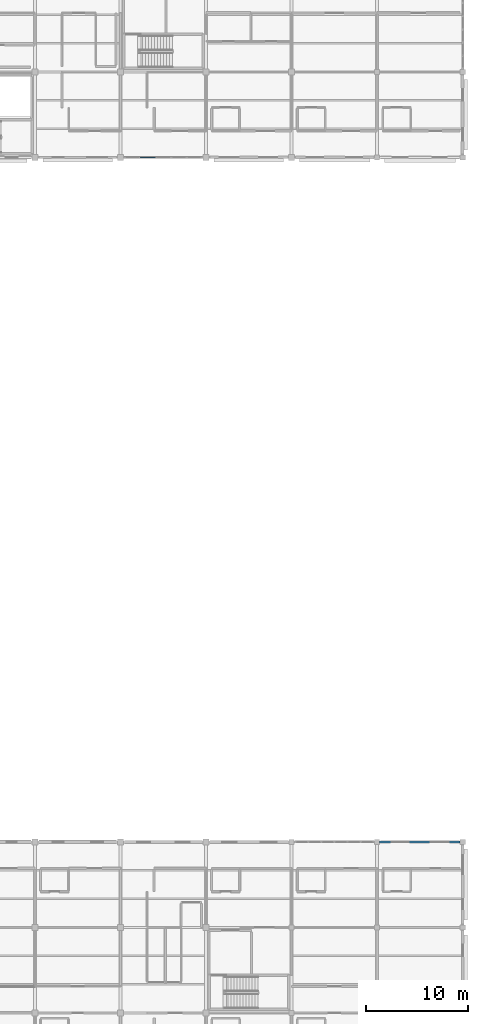
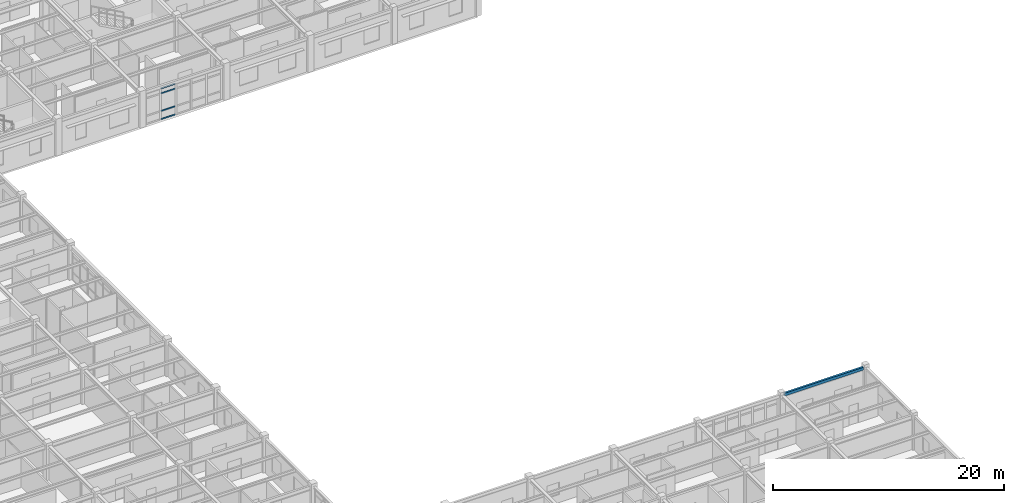
# One storey, part 37 of 86: 4 members, 1 beam, 1 element without a shape of its own.
"""IFC4 building model written with IfcOpenShell, lengths in metres."""

from ifc_helpers import new_model, si_unit, direction, frame, origin, origin_2d, place, context, subcontext, project, spatial, hollow_rectangle, extrude, material, layer, layer_set, material_profile, profile_set, type_object, element, aggregate, save


model = new_model("IFC4")

# Units and contexts
model_context = context("Model", 3, precision=1e-05, world=origin(), true_north=direction((0.0, 1.0)))
body_context = subcontext(model_context, "Body", "Model", "MODEL_VIEW")
ifc_project = project(units=[si_unit("LENGTHUNIT", "METRE"), si_unit("AREAUNIT", "SQUARE_METRE"), si_unit("VOLUMEUNIT", "CUBIC_METRE"), si_unit("PLANEANGLEUNIT", "RADIAN"), si_unit("MASSUNIT", "GRAM", prefix="KILO")], contexts=[model_context])

# Site, building, storey
site_placement = place(None, origin())
site = spatial("IfcSite", under=ifc_project, at=site_placement, CompositionType="ELEMENT")
building_placement = place(site_placement, origin())
building = spatial("IfcBuilding", under=site, at=building_placement, Name="Bramfleet General Hospital", CompositionType="ELEMENT")
storey_placement = place(building_placement, frame((0.0, 0.0, 18.60009765625)))
storey = spatial("IfcBuildingStorey", under=building, at=storey_placement, Name="L04", CompositionType="ELEMENT", Elevation=18.60009765625)

# Beam
ifc_material_1 = material(Name="Steel S355", Category="steel")
ifc_material_profile_1 = material_profile(ifc_material_1, hollow_rectangle(XDim=0.199951171875, YDim=0.300048828125, WallThickness=0.012451171875, at=origin_2d()), Name="RHS 300x200x12.5")
ifc_profile_set_1 = profile_set([ifc_material_profile_1], Name="Steel S355")
beam_type = type_object("IfcBeamType", Name="BM-RHS300", PredefinedType="SPANDREL", material=ifc_profile_set_1)
beam_placement = place(storey_placement, frame((159.85009765625, 25.199951171875, 3.4599609375), z_axis=(1.0, 0.0, 0.0), x_axis=(0.0, 1.0, 0.0)))
element("IfcBeam", 1, at=beam_placement, inside=storey, type_object=beam_type, Name="L04 Grid Beam X 19-03", PredefinedType="SPANDREL", context=body_context, shape_type="SweptSolid", body=[
    extrude(hollow_rectangle(XDim=0.199951171875, YDim=0.300048828125, WallThickness=0.012451171875, at=origin_2d()), origin(), (0.0, 0.0, 1.0), 7.89990234375),
])

# Curtain wall, members
ifc_material_2 = material(Name="Anodised aluminium and low-E triple glazing", Category="aluminium")
ifc_layer = layer(ifc_material_2, 0.179931640625, Name="CWT-CW-11")
ifc_layer_set = layer_set([ifc_layer], Name="Anodised aluminium and low-E triple glazing")
curtain_wall_type = type_object("IfcCurtainWallType", Name="CWT-CW-11", PredefinedType="USERDEFINED", material=ifc_layer_set)
curtain_wall_placement = place(storey_placement, origin())
curtain_wall = element("IfcCurtainWall", 2, at=curtain_wall_placement, inside=storey, type_object=curtain_wall_type, Name="L04 Curtain Wall 191", ObjectType="Stick curtain wall", PredefinedType="USERDEFINED")
ifc_material_3 = material(Name="Anodised aluminium EN AW-6060", Category="aluminium")
ifc_material_profile_2 = material_profile(ifc_material_3, hollow_rectangle(XDim=0.06494140625, YDim=0.139892578125, WallThickness=0.00390625, at=origin_2d()), Name="ALU 140x65x4.0")
ifc_profile_set_2 = profile_set([ifc_material_profile_2], Name="Anodised aluminium EN AW-6060")
member_type = type_object("IfcMemberType", Name="CWT-ALU140", PredefinedType="USERDEFINED", material=ifc_profile_set_2)
member_1_placement = place(storey_placement, frame((137.800048828125, 92.39990234375, 0.032470703125), z_axis=(-1.0, 0.0, 0.0), x_axis=(0.0, -1.0, 0.0)))
member_1 = element("IfcMember", 3, at=member_1_placement, type_object=member_type, Name="CW-11 transom 4.1", ObjectType="TRANSOM", PredefinedType="USERDEFINED", context=body_context, shape_type="SweptSolid", body=[
    extrude(hollow_rectangle(XDim=0.06494140625, YDim=0.139892578125, WallThickness=0.00390625, at=origin_2d()), origin(), (0.0, 0.0, 1.0), 1.4599609375),
])
member_2_placement = place(storey_placement, frame((137.800048828125, 92.39990234375, 0.89990234375), z_axis=(-1.0, 0.0, 0.0), x_axis=(0.0, -1.0, 0.0)))
member_2 = element("IfcMember", 4, at=member_2_placement, type_object=member_type, Name="CW-11 transom 4.2", ObjectType="TRANSOM", PredefinedType="USERDEFINED", context=body_context, shape_type="SweptSolid", body=[
    extrude(hollow_rectangle(XDim=0.06494140625, YDim=0.139892578125, WallThickness=0.00390625, at=origin_2d()), origin(), (0.0, 0.0, 1.0), 1.4599609375),
])
member_3_placement = place(storey_placement, frame((137.800048828125, 92.39990234375, 2.760009765625), z_axis=(-1.0, 0.0, 0.0), x_axis=(0.0, -1.0, 0.0)))
member_3 = element("IfcMember", 5, at=member_3_placement, type_object=member_type, Name="CW-11 transom 4.3", ObjectType="TRANSOM", PredefinedType="USERDEFINED", context=body_context, shape_type="SweptSolid", body=[
    extrude(hollow_rectangle(XDim=0.06494140625, YDim=0.139892578125, WallThickness=0.00390625, at=origin_2d()), origin(), (0.0, 0.0, 1.0), 1.4599609375),
])
member_4_placement = place(storey_placement, frame((137.800048828125, 92.39990234375, 3.27734375), z_axis=(-1.0, 0.0, 0.0), x_axis=(0.0, -1.0, 0.0)))
member_4 = element("IfcMember", 6, at=member_4_placement, type_object=member_type, Name="CW-11 transom 4.4", ObjectType="TRANSOM", PredefinedType="USERDEFINED", context=body_context, shape_type="SweptSolid", body=[
    extrude(hollow_rectangle(XDim=0.06494140625, YDim=0.139892578125, WallThickness=0.00390625, at=origin_2d()), origin(), (0.0, 0.0, 1.0), 1.4599609375),
])
aggregate(curtain_wall, [member_1, member_2, member_3, member_4])

save(model, "model.ifc")
